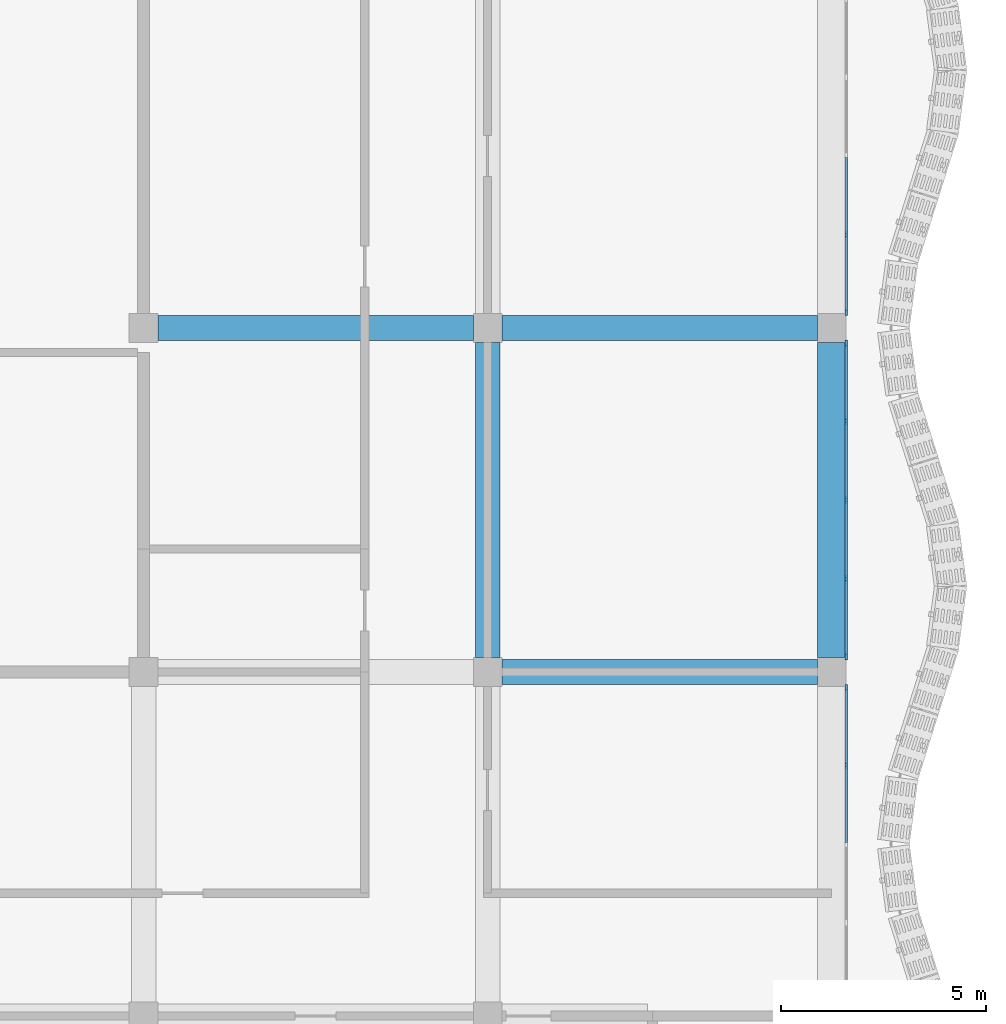
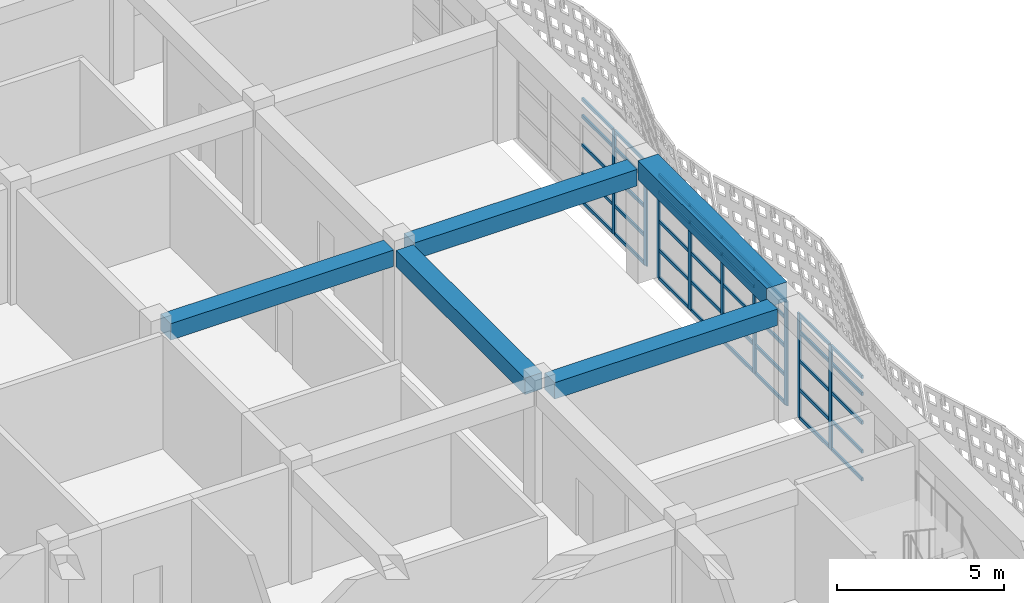
# One storey, part 20 of 162: 49 members, 5 beams, 3 elements without a shape of their own.
"""IFC4 building model written with IfcOpenShell, lengths in metres."""

from ifc_helpers import new_model, si_unit, direction, frame, origin, origin_2d, place, context, subcontext, project, spatial, rectangle, extrude, material, material_profile, profile_set, type_object, element, aggregate, save


model = new_model("IFC4")

# Units and contexts
model_context = context("Model", 3, precision=1e-05, world=origin(), true_north=direction((0.0, 1.0)))
body_context = subcontext(model_context, "Body", "Model", "MODEL_VIEW")
ifc_project = project(units=[si_unit("LENGTHUNIT", "METRE"), si_unit("AREAUNIT", "SQUARE_METRE"), si_unit("VOLUMEUNIT", "CUBIC_METRE"), si_unit("PLANEANGLEUNIT", "RADIAN"), si_unit("MASSUNIT", "GRAM", prefix="KILO")], contexts=[model_context])

# Site, building, storey
site_placement = place(None, origin())
site = spatial("IfcSite", under=ifc_project, at=site_placement, CompositionType="ELEMENT")
building_placement = place(site_placement, origin())
building = spatial("IfcBuilding", under=site, at=building_placement, Name="Rain Tree Exposition and Congress Centre", CompositionType="ELEMENT")
storey_placement = place(building_placement, frame((0.0, 0.0, 6.0)))
storey = spatial("IfcBuildingStorey", under=building, at=storey_placement, Name="L01", CompositionType="ELEMENT", Elevation=6.0)

# Beams
ifc_material_1 = material(Name="Precast concrete C50/60", Category="concrete")
ifc_material_profile_1 = material_profile(ifc_material_1, rectangle(XDim=0.60009765625, YDim=0.60009765625, at=origin_2d()), Name="RC 600x600")
ifc_profile_set_1 = profile_set([ifc_material_profile_1], Name="Precast concrete C50/60")
beam_type_1 = type_object("IfcBeamType", Name="Precast beam 600x600", PredefinedType="BEAM", material=ifc_profile_set_1)
for number, where, z_axis, x_axis, name in (
    (1, (42.35009765625, 16.800048828125, 3.85009765625), (1.0, 0.0, 0.0), (0.0, 1.0, 0.0), "wing/beam/L01/L02/031"),
    (2, (33.949951171875, 25.199951171875, 3.85009765625), (1.0, 0.0, 0.0), (0.0, 1.0, 0.0), "wing/beam/L01/L02/037"),
    (3, (42.35009765625, 25.199951171875, 3.85009765625), (1.0, 0.0, 0.0), (0.0, 1.0, 0.0), "wing/beam/L01/L02/039"),
):
    element("IfcBeam", number, at=place(storey_placement, frame(where, z_axis=z_axis, x_axis=x_axis)), inside=storey, type_object=beam_type_1, Name=name, PredefinedType="BEAM", context=body_context, shape_type="SweptSolid", body=[
        extrude(rectangle(XDim=0.60009765625, YDim=0.60009765625, at=origin_2d()), origin(), (0.0, 0.0, 1.0), 7.699951171875),
    ])
beam_1_placement = place(storey_placement, frame((42.0, 17.14990234375, 3.85009765625), z_axis=(0.0, 1.0, 0.0), x_axis=(-1.0, 0.0, 0.0)))
element("IfcBeam", 4, at=beam_1_placement, inside=storey, type_object=beam_type_1, Name="wing/beam/L01/L02/054", PredefinedType="BEAM", context=body_context, shape_type="SweptSolid", body=[
    extrude(rectangle(XDim=0.60009765625, YDim=0.60009765625, at=origin_2d()), origin(), (0.0, 0.0, 1.0), 7.7001953125),
])
ifc_material_2 = material(Name="Precast concrete C50/60", Category="concrete")
ifc_material_profile_2 = material_profile(ifc_material_2, rectangle(XDim=0.699951171875, YDim=0.699951171875, at=origin_2d()), Name="RC 700x700")
ifc_profile_set_2 = profile_set([ifc_material_profile_2], Name="Precast concrete C50/60")
beam_type_2 = type_object("IfcBeamType", Name="Precast spandrel beam 700x700", PredefinedType="SPANDREL", material=ifc_profile_set_2)
beam_2_placement = place(storey_placement, frame((50.39990234375, 17.14990234375, 4.14990234375), z_axis=(0.0, 1.0, 0.0), x_axis=(-1.0, 0.0, 0.0)))
element("IfcBeam", 5, at=beam_2_placement, inside=storey, type_object=beam_type_2, Name="wing/beam/L01/L02/066", PredefinedType="SPANDREL", context=body_context, shape_type="SweptSolid", body=[
    extrude(rectangle(XDim=0.699951171875, YDim=0.699951171875, at=origin_2d()), origin(), (0.0, 0.0, 1.0), 7.7001953125),
])

# Curtain wall, members
ifc_material_3 = material(Name="Aluminium curtain wall", Category="aluminium")
curtain_wall_type = type_object("IfcCurtainWallType", Name="Wing curtain wall 1925", PredefinedType="NOTDEFINED", material=ifc_material_3)
curtain_wall_1_placement = place(storey_placement, origin())
curtain_wall_1 = element("IfcCurtainWall", 6, at=curtain_wall_1_placement, inside=storey, type_object=curtain_wall_type, Name="Curtain wall CWW212", PredefinedType="NOTDEFINED")
ifc_material_4 = material(Name="Aluminium", Category="aluminium")
ifc_material_profile_3 = material_profile(ifc_material_4, rectangle(XDim=0.06005859375, YDim=0.159912109375, at=origin_2d()), Name="Aluminium 60x160")
ifc_profile_set_3 = profile_set([ifc_material_profile_3], Name="Aluminium")
member_type_1 = type_object("IfcMemberType", Name="Wing mullion 60x160", PredefinedType="MULLION", material=ifc_profile_set_3)
member_1_placement = place(storey_placement, frame((50.75, 14.52490234375, 0.0), z_axis=(0.0, 0.0, 1.0), x_axis=(-1.0, 0.0, 0.0)))
member_1 = element("IfcMember", 7, at=member_1_placement, type_object=member_type_1, Name="CWW212 mullion 4", PredefinedType="MULLION", context=body_context, shape_type="SweptSolid", body=[
    extrude(rectangle(XDim=0.06005859375, YDim=0.159912109375, at=origin_2d()), origin(), (0.0, 0.0, 1.0), 3.800048828125),
])
member_2_placement = place(storey_placement, frame((50.75, 16.419921875, 0.0), z_axis=(0.0, 0.0, 1.0), x_axis=(-1.0, 0.0, 0.0)))
member_2 = element("IfcMember", 8, at=member_2_placement, type_object=member_type_1, Name="CWW212 mullion 5", PredefinedType="MULLION", context=body_context, shape_type="SweptSolid", body=[
    extrude(rectangle(XDim=0.06005859375, YDim=0.159912109375, at=origin_2d()), origin(), (0.0, 0.0, 1.0), 3.800048828125),
])

curtain_wall_2_placement = place(storey_placement, origin())
curtain_wall_2 = element("IfcCurtainWall", 9, at=curtain_wall_2_placement, inside=storey, type_object=curtain_wall_type, Name="Curtain wall CWW213", PredefinedType="NOTDEFINED")
member_3_placement = place(storey_placement, frame((50.75, 17.179931640625, 0.0), z_axis=(0.0, 0.0, 1.0), x_axis=(-1.0, 0.0, 0.0)))
member_3 = element("IfcMember", 10, at=member_3_placement, type_object=member_type_1, Name="CWW213 mullion 1", PredefinedType="MULLION", context=body_context, shape_type="SweptSolid", body=[
    extrude(rectangle(XDim=0.06005859375, YDim=0.159912109375, at=origin_2d()), origin(), (0.0, 0.0, 1.0), 3.800048828125),
])
member_4_placement = place(storey_placement, frame((50.75, 19.074951171875, 0.0), z_axis=(0.0, 0.0, 1.0), x_axis=(-1.0, 0.0, 0.0)))
member_4 = element("IfcMember", 11, at=member_4_placement, type_object=member_type_1, Name="CWW213 mullion 2", PredefinedType="MULLION", context=body_context, shape_type="SweptSolid", body=[
    extrude(rectangle(XDim=0.06005859375, YDim=0.159912109375, at=origin_2d()), origin(), (0.0, 0.0, 1.0), 3.800048828125),
])
member_5_placement = place(storey_placement, frame((50.75, 21.0, 0.0), z_axis=(0.0, 0.0, 1.0), x_axis=(-1.0, 0.0, 0.0)))
member_5 = element("IfcMember", 12, at=member_5_placement, type_object=member_type_1, Name="CWW213 mullion 3", PredefinedType="MULLION", context=body_context, shape_type="SweptSolid", body=[
    extrude(rectangle(XDim=0.06005859375, YDim=0.159912109375, at=origin_2d()), origin(), (0.0, 0.0, 1.0), 3.800048828125),
])
member_6_placement = place(storey_placement, frame((50.75, 22.925048828125, 0.0), z_axis=(0.0, 0.0, 1.0), x_axis=(-1.0, 0.0, 0.0)))
member_6 = element("IfcMember", 13, at=member_6_placement, type_object=member_type_1, Name="CWW213 mullion 4", PredefinedType="MULLION", context=body_context, shape_type="SweptSolid", body=[
    extrude(rectangle(XDim=0.06005859375, YDim=0.159912109375, at=origin_2d()), origin(), (0.0, 0.0, 1.0), 3.800048828125),
])
member_7_placement = place(storey_placement, frame((50.75, 24.820068359375, 0.0), z_axis=(0.0, 0.0, 1.0), x_axis=(-1.0, 0.0, 0.0)))
member_7 = element("IfcMember", 14, at=member_7_placement, type_object=member_type_1, Name="CWW213 mullion 5", PredefinedType="MULLION", context=body_context, shape_type="SweptSolid", body=[
    extrude(rectangle(XDim=0.06005859375, YDim=0.159912109375, at=origin_2d()), origin(), (0.0, 0.0, 1.0), 3.800048828125),
])

curtain_wall_3_placement = place(storey_placement, origin())
curtain_wall_3 = element("IfcCurtainWall", 15, at=curtain_wall_3_placement, inside=storey, type_object=curtain_wall_type, Name="Curtain wall CWW214", PredefinedType="NOTDEFINED")
member_8_placement = place(storey_placement, frame((50.75, 25.580078125, 0.0), z_axis=(0.0, 0.0, 1.0), x_axis=(-1.0, 0.0, 0.0)))
member_8 = element("IfcMember", 16, at=member_8_placement, type_object=member_type_1, Name="CWW214 mullion 1", PredefinedType="MULLION", context=body_context, shape_type="SweptSolid", body=[
    extrude(rectangle(XDim=0.06005859375, YDim=0.159912109375, at=origin_2d()), origin(), (0.0, 0.0, 1.0), 3.800048828125),
])
member_9_placement = place(storey_placement, frame((50.75, 27.47509765625, 0.0), z_axis=(0.0, 0.0, 1.0), x_axis=(-1.0, 0.0, 0.0)))
member_9 = element("IfcMember", 17, at=member_9_placement, type_object=member_type_1, Name="CWW214 mullion 2", PredefinedType="MULLION", context=body_context, shape_type="SweptSolid", body=[
    extrude(rectangle(XDim=0.06005859375, YDim=0.159912109375, at=origin_2d()), origin(), (0.0, 0.0, 1.0), 3.800048828125),
])

# Member
ifc_material_5 = material(Name="Aluminium", Category="aluminium")
ifc_material_profile_4 = material_profile(ifc_material_5, rectangle(XDim=0.06005859375, YDim=0.1201171875, at=origin_2d()), Name="Aluminium 60x120")
ifc_profile_set_4 = profile_set([ifc_material_profile_4], Name="Aluminium")
member_type_2 = type_object("IfcMemberType", Name="Wing transom 60x120", PredefinedType="USERDEFINED", material=ifc_profile_set_4)
member_10_placement = place(storey_placement, frame((50.75, 12.6298828125, 0.030029296875), z_axis=(0.0, 1.0, 0.0), x_axis=(-1.0, 0.0, 0.0)))
member_10 = element("IfcMember", 18, at=member_10_placement, type_object=member_type_2, Name="CWW212 transom 3.1", ObjectType="TRANSOM", PredefinedType="USERDEFINED", context=body_context, shape_type="SweptSolid", body=[
    extrude(rectangle(XDim=0.06005859375, YDim=0.1201171875, at=origin_2d()), origin(), (0.0, 0.0, 1.0), 1.865234375),
])

member_11_placement = place(storey_placement, frame((50.75, 12.6298828125, 1.050048828125), z_axis=(0.0, 1.0, 0.0), x_axis=(-1.0, 0.0, 0.0)))
member_11 = element("IfcMember", 19, at=member_11_placement, type_object=member_type_2, Name="CWW212 transom 3.2", ObjectType="TRANSOM", PredefinedType="USERDEFINED", context=body_context, shape_type="SweptSolid", body=[
    extrude(rectangle(XDim=0.06005859375, YDim=0.1201171875, at=origin_2d()), origin(), (0.0, 0.0, 1.0), 1.865234375),
])

member_12_placement = place(storey_placement, frame((50.75, 12.6298828125, 2.10009765625), z_axis=(0.0, 1.0, 0.0), x_axis=(-1.0, 0.0, 0.0)))
member_12 = element("IfcMember", 20, at=member_12_placement, type_object=member_type_2, Name="CWW212 transom 3.3", ObjectType="TRANSOM", PredefinedType="USERDEFINED", context=body_context, shape_type="SweptSolid", body=[
    extrude(rectangle(XDim=0.06005859375, YDim=0.1201171875, at=origin_2d()), origin(), (0.0, 0.0, 1.0), 1.865234375),
])

member_13_placement = place(storey_placement, frame((50.75, 12.6298828125, 3.14990234375), z_axis=(0.0, 1.0, 0.0), x_axis=(-1.0, 0.0, 0.0)))
member_13 = element("IfcMember", 21, at=member_13_placement, type_object=member_type_2, Name="CWW212 transom 3.4", ObjectType="TRANSOM", PredefinedType="USERDEFINED", context=body_context, shape_type="SweptSolid", body=[
    extrude(rectangle(XDim=0.06005859375, YDim=0.1201171875, at=origin_2d()), origin(), (0.0, 0.0, 1.0), 1.865234375),
])

member_14_placement = place(storey_placement, frame((50.75, 12.6298828125, 3.77001953125), z_axis=(0.0, 1.0, 0.0), x_axis=(-1.0, 0.0, 0.0)))
member_14 = element("IfcMember", 22, at=member_14_placement, type_object=member_type_2, Name="CWW212 transom 3.5", ObjectType="TRANSOM", PredefinedType="USERDEFINED", context=body_context, shape_type="SweptSolid", body=[
    extrude(rectangle(XDim=0.06005859375, YDim=0.1201171875, at=origin_2d()), origin(), (0.0, 0.0, 1.0), 1.865234375),
])

member_15_placement = place(storey_placement, frame((50.75, 14.554931640625, 0.030029296875), z_axis=(0.0, 1.0, 0.0), x_axis=(-1.0, 0.0, 0.0)))
member_15 = element("IfcMember", 23, at=member_15_placement, type_object=member_type_2, Name="CWW212 transom 4.1", ObjectType="TRANSOM", PredefinedType="USERDEFINED", context=body_context, shape_type="SweptSolid", body=[
    extrude(rectangle(XDim=0.06005859375, YDim=0.1201171875, at=origin_2d()), origin(), (0.0, 0.0, 1.0), 1.8349609375),
])

member_16_placement = place(storey_placement, frame((50.75, 14.554931640625, 1.050048828125), z_axis=(0.0, 1.0, 0.0), x_axis=(-1.0, 0.0, 0.0)))
member_16 = element("IfcMember", 24, at=member_16_placement, type_object=member_type_2, Name="CWW212 transom 4.2", ObjectType="TRANSOM", PredefinedType="USERDEFINED", context=body_context, shape_type="SweptSolid", body=[
    extrude(rectangle(XDim=0.06005859375, YDim=0.1201171875, at=origin_2d()), origin(), (0.0, 0.0, 1.0), 1.8349609375),
])

member_17_placement = place(storey_placement, frame((50.75, 14.554931640625, 2.10009765625), z_axis=(0.0, 1.0, 0.0), x_axis=(-1.0, 0.0, 0.0)))
member_17 = element("IfcMember", 25, at=member_17_placement, type_object=member_type_2, Name="CWW212 transom 4.3", ObjectType="TRANSOM", PredefinedType="USERDEFINED", context=body_context, shape_type="SweptSolid", body=[
    extrude(rectangle(XDim=0.06005859375, YDim=0.1201171875, at=origin_2d()), origin(), (0.0, 0.0, 1.0), 1.8349609375),
])

member_18_placement = place(storey_placement, frame((50.75, 14.554931640625, 3.14990234375), z_axis=(0.0, 1.0, 0.0), x_axis=(-1.0, 0.0, 0.0)))
member_18 = element("IfcMember", 26, at=member_18_placement, type_object=member_type_2, Name="CWW212 transom 4.4", ObjectType="TRANSOM", PredefinedType="USERDEFINED", context=body_context, shape_type="SweptSolid", body=[
    extrude(rectangle(XDim=0.06005859375, YDim=0.1201171875, at=origin_2d()), origin(), (0.0, 0.0, 1.0), 1.8349609375),
])

member_19_placement = place(storey_placement, frame((50.75, 14.554931640625, 3.77001953125), z_axis=(0.0, 1.0, 0.0), x_axis=(-1.0, 0.0, 0.0)))
member_19 = element("IfcMember", 27, at=member_19_placement, type_object=member_type_2, Name="CWW212 transom 4.5", ObjectType="TRANSOM", PredefinedType="USERDEFINED", context=body_context, shape_type="SweptSolid", body=[
    extrude(rectangle(XDim=0.06005859375, YDim=0.1201171875, at=origin_2d()), origin(), (0.0, 0.0, 1.0), 1.8349609375),
])

aggregate(curtain_wall_1, [member_1, member_2, member_10, member_11, member_12, member_13, member_14, member_15, member_16, member_17, member_18, member_19])

member_20_placement = place(storey_placement, frame((50.75, 17.2099609375, 0.030029296875), z_axis=(0.0, 1.0, 0.0), x_axis=(-1.0, 0.0, 0.0)))
member_20 = element("IfcMember", 28, at=member_20_placement, type_object=member_type_2, Name="CWW213 transom 1.1", ObjectType="TRANSOM", PredefinedType="USERDEFINED", context=body_context, shape_type="SweptSolid", body=[
    extrude(rectangle(XDim=0.06005859375, YDim=0.1201171875, at=origin_2d()), origin(), (0.0, 0.0, 1.0), 1.8349609375),
])

member_21_placement = place(storey_placement, frame((50.75, 17.2099609375, 1.050048828125), z_axis=(0.0, 1.0, 0.0), x_axis=(-1.0, 0.0, 0.0)))
member_21 = element("IfcMember", 29, at=member_21_placement, type_object=member_type_2, Name="CWW213 transom 1.2", ObjectType="TRANSOM", PredefinedType="USERDEFINED", context=body_context, shape_type="SweptSolid", body=[
    extrude(rectangle(XDim=0.06005859375, YDim=0.1201171875, at=origin_2d()), origin(), (0.0, 0.0, 1.0), 1.8349609375),
])

member_22_placement = place(storey_placement, frame((50.75, 17.2099609375, 2.10009765625), z_axis=(0.0, 1.0, 0.0), x_axis=(-1.0, 0.0, 0.0)))
member_22 = element("IfcMember", 30, at=member_22_placement, type_object=member_type_2, Name="CWW213 transom 1.3", ObjectType="TRANSOM", PredefinedType="USERDEFINED", context=body_context, shape_type="SweptSolid", body=[
    extrude(rectangle(XDim=0.06005859375, YDim=0.1201171875, at=origin_2d()), origin(), (0.0, 0.0, 1.0), 1.8349609375),
])

member_23_placement = place(storey_placement, frame((50.75, 17.2099609375, 3.14990234375), z_axis=(0.0, 1.0, 0.0), x_axis=(-1.0, 0.0, 0.0)))
member_23 = element("IfcMember", 31, at=member_23_placement, type_object=member_type_2, Name="CWW213 transom 1.4", ObjectType="TRANSOM", PredefinedType="USERDEFINED", context=body_context, shape_type="SweptSolid", body=[
    extrude(rectangle(XDim=0.06005859375, YDim=0.1201171875, at=origin_2d()), origin(), (0.0, 0.0, 1.0), 1.8349609375),
])

member_24_placement = place(storey_placement, frame((50.75, 17.2099609375, 3.77001953125), z_axis=(0.0, 1.0, 0.0), x_axis=(-1.0, 0.0, 0.0)))
member_24 = element("IfcMember", 32, at=member_24_placement, type_object=member_type_2, Name="CWW213 transom 1.5", ObjectType="TRANSOM", PredefinedType="USERDEFINED", context=body_context, shape_type="SweptSolid", body=[
    extrude(rectangle(XDim=0.06005859375, YDim=0.1201171875, at=origin_2d()), origin(), (0.0, 0.0, 1.0), 1.8349609375),
])

member_25_placement = place(storey_placement, frame((50.75, 19.10498046875, 0.030029296875), z_axis=(0.0, 1.0, 0.0), x_axis=(-1.0, 0.0, 0.0)))
member_25 = element("IfcMember", 33, at=member_25_placement, type_object=member_type_2, Name="CWW213 transom 2.1", ObjectType="TRANSOM", PredefinedType="USERDEFINED", context=body_context, shape_type="SweptSolid", body=[
    extrude(rectangle(XDim=0.06005859375, YDim=0.1201171875, at=origin_2d()), origin(), (0.0, 0.0, 1.0), 1.864990234375),
])

member_26_placement = place(storey_placement, frame((50.75, 19.10498046875, 1.050048828125), z_axis=(0.0, 1.0, 0.0), x_axis=(-1.0, 0.0, 0.0)))
member_26 = element("IfcMember", 34, at=member_26_placement, type_object=member_type_2, Name="CWW213 transom 2.2", ObjectType="TRANSOM", PredefinedType="USERDEFINED", context=body_context, shape_type="SweptSolid", body=[
    extrude(rectangle(XDim=0.06005859375, YDim=0.1201171875, at=origin_2d()), origin(), (0.0, 0.0, 1.0), 1.864990234375),
])

member_27_placement = place(storey_placement, frame((50.75, 19.10498046875, 2.10009765625), z_axis=(0.0, 1.0, 0.0), x_axis=(-1.0, 0.0, 0.0)))
member_27 = element("IfcMember", 35, at=member_27_placement, type_object=member_type_2, Name="CWW213 transom 2.3", ObjectType="TRANSOM", PredefinedType="USERDEFINED", context=body_context, shape_type="SweptSolid", body=[
    extrude(rectangle(XDim=0.06005859375, YDim=0.1201171875, at=origin_2d()), origin(), (0.0, 0.0, 1.0), 1.864990234375),
])

member_28_placement = place(storey_placement, frame((50.75, 19.10498046875, 3.14990234375), z_axis=(0.0, 1.0, 0.0), x_axis=(-1.0, 0.0, 0.0)))
member_28 = element("IfcMember", 36, at=member_28_placement, type_object=member_type_2, Name="CWW213 transom 2.4", ObjectType="TRANSOM", PredefinedType="USERDEFINED", context=body_context, shape_type="SweptSolid", body=[
    extrude(rectangle(XDim=0.06005859375, YDim=0.1201171875, at=origin_2d()), origin(), (0.0, 0.0, 1.0), 1.864990234375),
])

member_29_placement = place(storey_placement, frame((50.75, 19.10498046875, 3.77001953125), z_axis=(0.0, 1.0, 0.0), x_axis=(-1.0, 0.0, 0.0)))
member_29 = element("IfcMember", 37, at=member_29_placement, type_object=member_type_2, Name="CWW213 transom 2.5", ObjectType="TRANSOM", PredefinedType="USERDEFINED", context=body_context, shape_type="SweptSolid", body=[
    extrude(rectangle(XDim=0.06005859375, YDim=0.1201171875, at=origin_2d()), origin(), (0.0, 0.0, 1.0), 1.864990234375),
])

member_30_placement = place(storey_placement, frame((50.75, 21.030029296875, 0.030029296875), z_axis=(0.0, 1.0, 0.0), x_axis=(-1.0, 0.0, 0.0)))
member_30 = element("IfcMember", 38, at=member_30_placement, type_object=member_type_2, Name="CWW213 transom 3.1", ObjectType="TRANSOM", PredefinedType="USERDEFINED", context=body_context, shape_type="SweptSolid", body=[
    extrude(rectangle(XDim=0.06005859375, YDim=0.1201171875, at=origin_2d()), origin(), (0.0, 0.0, 1.0), 1.864990234375),
])

member_31_placement = place(storey_placement, frame((50.75, 21.030029296875, 1.050048828125), z_axis=(0.0, 1.0, 0.0), x_axis=(-1.0, 0.0, 0.0)))
member_31 = element("IfcMember", 39, at=member_31_placement, type_object=member_type_2, Name="CWW213 transom 3.2", ObjectType="TRANSOM", PredefinedType="USERDEFINED", context=body_context, shape_type="SweptSolid", body=[
    extrude(rectangle(XDim=0.06005859375, YDim=0.1201171875, at=origin_2d()), origin(), (0.0, 0.0, 1.0), 1.864990234375),
])

member_32_placement = place(storey_placement, frame((50.75, 21.030029296875, 2.10009765625), z_axis=(0.0, 1.0, 0.0), x_axis=(-1.0, 0.0, 0.0)))
member_32 = element("IfcMember", 40, at=member_32_placement, type_object=member_type_2, Name="CWW213 transom 3.3", ObjectType="TRANSOM", PredefinedType="USERDEFINED", context=body_context, shape_type="SweptSolid", body=[
    extrude(rectangle(XDim=0.06005859375, YDim=0.1201171875, at=origin_2d()), origin(), (0.0, 0.0, 1.0), 1.864990234375),
])

member_33_placement = place(storey_placement, frame((50.75, 21.030029296875, 3.14990234375), z_axis=(0.0, 1.0, 0.0), x_axis=(-1.0, 0.0, 0.0)))
member_33 = element("IfcMember", 41, at=member_33_placement, type_object=member_type_2, Name="CWW213 transom 3.4", ObjectType="TRANSOM", PredefinedType="USERDEFINED", context=body_context, shape_type="SweptSolid", body=[
    extrude(rectangle(XDim=0.06005859375, YDim=0.1201171875, at=origin_2d()), origin(), (0.0, 0.0, 1.0), 1.864990234375),
])

member_34_placement = place(storey_placement, frame((50.75, 21.030029296875, 3.77001953125), z_axis=(0.0, 1.0, 0.0), x_axis=(-1.0, 0.0, 0.0)))
member_34 = element("IfcMember", 42, at=member_34_placement, type_object=member_type_2, Name="CWW213 transom 3.5", ObjectType="TRANSOM", PredefinedType="USERDEFINED", context=body_context, shape_type="SweptSolid", body=[
    extrude(rectangle(XDim=0.06005859375, YDim=0.1201171875, at=origin_2d()), origin(), (0.0, 0.0, 1.0), 1.864990234375),
])

member_35_placement = place(storey_placement, frame((50.75, 22.955078125, 0.030029296875), z_axis=(0.0, 1.0, 0.0), x_axis=(-1.0, 0.0, 0.0)))
member_35 = element("IfcMember", 43, at=member_35_placement, type_object=member_type_2, Name="CWW213 transom 4.1", ObjectType="TRANSOM", PredefinedType="USERDEFINED", context=body_context, shape_type="SweptSolid", body=[
    extrude(rectangle(XDim=0.06005859375, YDim=0.1201171875, at=origin_2d()), origin(), (0.0, 0.0, 1.0), 1.8349609375),
])

member_36_placement = place(storey_placement, frame((50.75, 22.955078125, 1.050048828125), z_axis=(0.0, 1.0, 0.0), x_axis=(-1.0, 0.0, 0.0)))
member_36 = element("IfcMember", 44, at=member_36_placement, type_object=member_type_2, Name="CWW213 transom 4.2", ObjectType="TRANSOM", PredefinedType="USERDEFINED", context=body_context, shape_type="SweptSolid", body=[
    extrude(rectangle(XDim=0.06005859375, YDim=0.1201171875, at=origin_2d()), origin(), (0.0, 0.0, 1.0), 1.8349609375),
])

member_37_placement = place(storey_placement, frame((50.75, 22.955078125, 2.10009765625), z_axis=(0.0, 1.0, 0.0), x_axis=(-1.0, 0.0, 0.0)))
member_37 = element("IfcMember", 45, at=member_37_placement, type_object=member_type_2, Name="CWW213 transom 4.3", ObjectType="TRANSOM", PredefinedType="USERDEFINED", context=body_context, shape_type="SweptSolid", body=[
    extrude(rectangle(XDim=0.06005859375, YDim=0.1201171875, at=origin_2d()), origin(), (0.0, 0.0, 1.0), 1.8349609375),
])

member_38_placement = place(storey_placement, frame((50.75, 22.955078125, 3.14990234375), z_axis=(0.0, 1.0, 0.0), x_axis=(-1.0, 0.0, 0.0)))
member_38 = element("IfcMember", 46, at=member_38_placement, type_object=member_type_2, Name="CWW213 transom 4.4", ObjectType="TRANSOM", PredefinedType="USERDEFINED", context=body_context, shape_type="SweptSolid", body=[
    extrude(rectangle(XDim=0.06005859375, YDim=0.1201171875, at=origin_2d()), origin(), (0.0, 0.0, 1.0), 1.8349609375),
])

member_39_placement = place(storey_placement, frame((50.75, 22.955078125, 3.77001953125), z_axis=(0.0, 1.0, 0.0), x_axis=(-1.0, 0.0, 0.0)))
member_39 = element("IfcMember", 47, at=member_39_placement, type_object=member_type_2, Name="CWW213 transom 4.5", ObjectType="TRANSOM", PredefinedType="USERDEFINED", context=body_context, shape_type="SweptSolid", body=[
    extrude(rectangle(XDim=0.06005859375, YDim=0.1201171875, at=origin_2d()), origin(), (0.0, 0.0, 1.0), 1.8349609375),
])

aggregate(curtain_wall_2, [member_3, member_4, member_5, member_6, member_7, member_20, member_21, member_22, member_23, member_24, member_25, member_26, member_27, member_28, member_29, member_30, member_31, member_32, member_33, member_34, member_35, member_36, member_37, member_38, member_39])

member_40_placement = place(storey_placement, frame((50.75, 25.610107421875, 0.030029296875), z_axis=(0.0, 1.0, 0.0), x_axis=(-1.0, 0.0, 0.0)))
member_40 = element("IfcMember", 48, at=member_40_placement, type_object=member_type_2, Name="CWW214 transom 1.1", ObjectType="TRANSOM", PredefinedType="USERDEFINED", context=body_context, shape_type="SweptSolid", body=[
    extrude(rectangle(XDim=0.06005859375, YDim=0.1201171875, at=origin_2d()), origin(), (0.0, 0.0, 1.0), 1.8349609375),
])

member_41_placement = place(storey_placement, frame((50.75, 25.610107421875, 1.050048828125), z_axis=(0.0, 1.0, 0.0), x_axis=(-1.0, 0.0, 0.0)))
member_41 = element("IfcMember", 49, at=member_41_placement, type_object=member_type_2, Name="CWW214 transom 1.2", ObjectType="TRANSOM", PredefinedType="USERDEFINED", context=body_context, shape_type="SweptSolid", body=[
    extrude(rectangle(XDim=0.06005859375, YDim=0.1201171875, at=origin_2d()), origin(), (0.0, 0.0, 1.0), 1.8349609375),
])

member_42_placement = place(storey_placement, frame((50.75, 25.610107421875, 2.10009765625), z_axis=(0.0, 1.0, 0.0), x_axis=(-1.0, 0.0, 0.0)))
member_42 = element("IfcMember", 50, at=member_42_placement, type_object=member_type_2, Name="CWW214 transom 1.3", ObjectType="TRANSOM", PredefinedType="USERDEFINED", context=body_context, shape_type="SweptSolid", body=[
    extrude(rectangle(XDim=0.06005859375, YDim=0.1201171875, at=origin_2d()), origin(), (0.0, 0.0, 1.0), 1.8349609375),
])

member_43_placement = place(storey_placement, frame((50.75, 25.610107421875, 3.14990234375), z_axis=(0.0, 1.0, 0.0), x_axis=(-1.0, 0.0, 0.0)))
member_43 = element("IfcMember", 51, at=member_43_placement, type_object=member_type_2, Name="CWW214 transom 1.4", ObjectType="TRANSOM", PredefinedType="USERDEFINED", context=body_context, shape_type="SweptSolid", body=[
    extrude(rectangle(XDim=0.06005859375, YDim=0.1201171875, at=origin_2d()), origin(), (0.0, 0.0, 1.0), 1.8349609375),
])

member_44_placement = place(storey_placement, frame((50.75, 25.610107421875, 3.77001953125), z_axis=(0.0, 1.0, 0.0), x_axis=(-1.0, 0.0, 0.0)))
member_44 = element("IfcMember", 52, at=member_44_placement, type_object=member_type_2, Name="CWW214 transom 1.5", ObjectType="TRANSOM", PredefinedType="USERDEFINED", context=body_context, shape_type="SweptSolid", body=[
    extrude(rectangle(XDim=0.06005859375, YDim=0.1201171875, at=origin_2d()), origin(), (0.0, 0.0, 1.0), 1.8349609375),
])

member_45_placement = place(storey_placement, frame((50.75, 27.5048828125, 0.030029296875), z_axis=(0.0, 1.0, 0.0), x_axis=(-1.0, 0.0, 0.0)))
member_45 = element("IfcMember", 53, at=member_45_placement, type_object=member_type_2, Name="CWW214 transom 2.1", ObjectType="TRANSOM", PredefinedType="USERDEFINED", context=body_context, shape_type="SweptSolid", body=[
    extrude(rectangle(XDim=0.06005859375, YDim=0.1201171875, at=origin_2d()), origin(), (0.0, 0.0, 1.0), 1.865234375),
])

member_46_placement = place(storey_placement, frame((50.75, 27.5048828125, 1.050048828125), z_axis=(0.0, 1.0, 0.0), x_axis=(-1.0, 0.0, 0.0)))
member_46 = element("IfcMember", 54, at=member_46_placement, type_object=member_type_2, Name="CWW214 transom 2.2", ObjectType="TRANSOM", PredefinedType="USERDEFINED", context=body_context, shape_type="SweptSolid", body=[
    extrude(rectangle(XDim=0.06005859375, YDim=0.1201171875, at=origin_2d()), origin(), (0.0, 0.0, 1.0), 1.865234375),
])

member_47_placement = place(storey_placement, frame((50.75, 27.5048828125, 2.10009765625), z_axis=(0.0, 1.0, 0.0), x_axis=(-1.0, 0.0, 0.0)))
member_47 = element("IfcMember", 55, at=member_47_placement, type_object=member_type_2, Name="CWW214 transom 2.3", ObjectType="TRANSOM", PredefinedType="USERDEFINED", context=body_context, shape_type="SweptSolid", body=[
    extrude(rectangle(XDim=0.06005859375, YDim=0.1201171875, at=origin_2d()), origin(), (0.0, 0.0, 1.0), 1.865234375),
])

member_48_placement = place(storey_placement, frame((50.75, 27.5048828125, 3.14990234375), z_axis=(0.0, 1.0, 0.0), x_axis=(-1.0, 0.0, 0.0)))
member_48 = element("IfcMember", 56, at=member_48_placement, type_object=member_type_2, Name="CWW214 transom 2.4", ObjectType="TRANSOM", PredefinedType="USERDEFINED", context=body_context, shape_type="SweptSolid", body=[
    extrude(rectangle(XDim=0.06005859375, YDim=0.1201171875, at=origin_2d()), origin(), (0.0, 0.0, 1.0), 1.865234375),
])

member_49_placement = place(storey_placement, frame((50.75, 27.5048828125, 3.77001953125), z_axis=(0.0, 1.0, 0.0), x_axis=(-1.0, 0.0, 0.0)))
member_49 = element("IfcMember", 57, at=member_49_placement, type_object=member_type_2, Name="CWW214 transom 2.5", ObjectType="TRANSOM", PredefinedType="USERDEFINED", context=body_context, shape_type="SweptSolid", body=[
    extrude(rectangle(XDim=0.06005859375, YDim=0.1201171875, at=origin_2d()), origin(), (0.0, 0.0, 1.0), 1.865234375),
])

aggregate(curtain_wall_3, [member_8, member_9, member_40, member_41, member_42, member_43, member_44, member_45, member_46, member_47, member_48, member_49])

save(model, "model.ifc")
